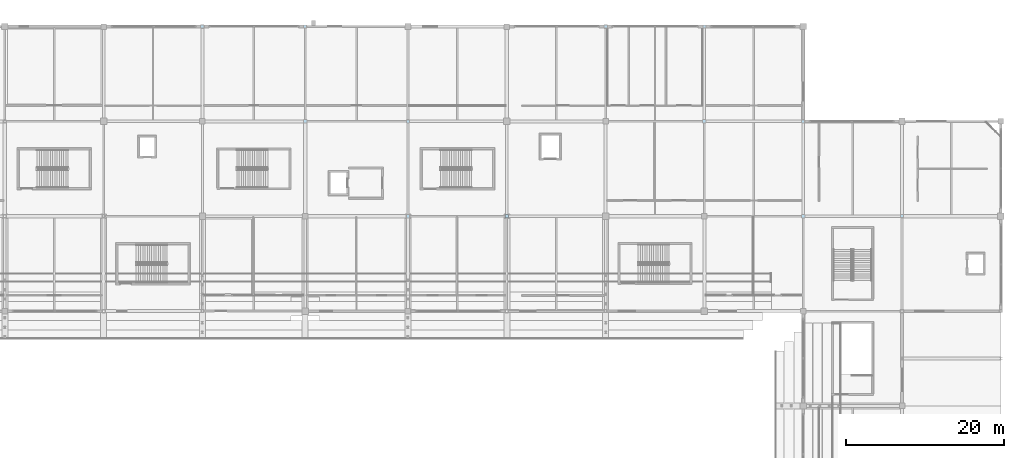
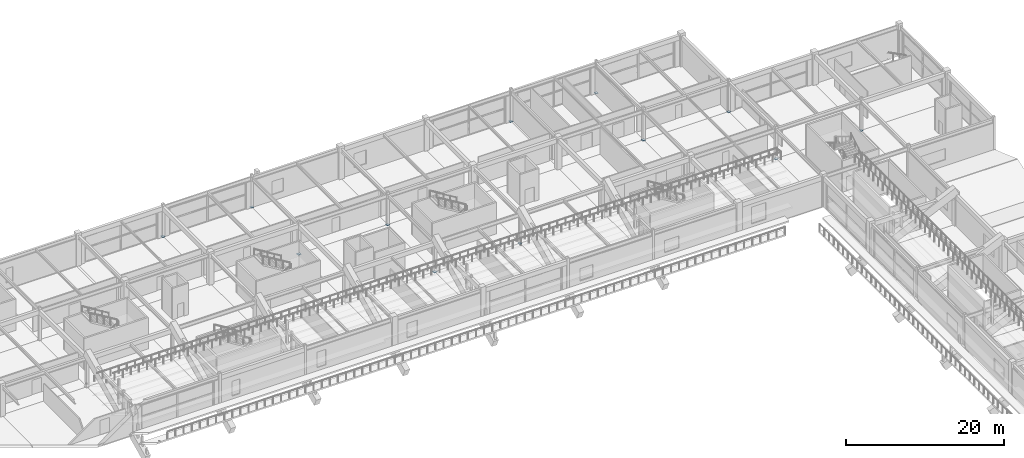
# One storey, part 83 of 128: 12 plates.
"""IFC4 building model written with IfcOpenShell, lengths in metres."""

from ifc_helpers import new_model, si_unit, direction, frame, origin, origin_2d, place, context, subcontext, project, spatial, rectangle, extrude, material, layer, layer_set, type_object, element, save


model = new_model("IFC4")

# Units and contexts
model_context = context("Model", 3, precision=1e-05, world=origin(), true_north=direction((0.0, 1.0)))
body_context = subcontext(model_context, "Body", "Model", "MODEL_VIEW")
ifc_project = project(units=[si_unit("LENGTHUNIT", "METRE"), si_unit("AREAUNIT", "SQUARE_METRE"), si_unit("VOLUMEUNIT", "CUBIC_METRE"), si_unit("PLANEANGLEUNIT", "RADIAN"), si_unit("MASSUNIT", "GRAM", prefix="KILO")], contexts=[model_context])

# Site, building, storey
site_placement = place(None, origin())
site = spatial("IfcSite", under=ifc_project, at=site_placement, CompositionType="ELEMENT")
building_placement = place(site_placement, origin())
building = spatial("IfcBuilding", under=site, at=building_placement, Name="Kazenohara Klinker Stadium", CompositionType="ELEMENT")
storey_placement = place(building_placement, frame((0.0, 0.0, 15.300048828125)))
storey = spatial("IfcBuildingStorey", under=building, at=storey_placement, Name="L03", CompositionType="ELEMENT", Elevation=15.300048828125)

# Plates
ifc_material = material(Name="Steel S355", Category="steel")
ifc_layer_1 = layer(ifc_material, 0.02001953125)
ifc_layer_set_1 = layer_set([ifc_layer_1], Name="Steel S355")
plate_type_1 = type_object("IfcPlateType", Name="PLT-GP01", PredefinedType="USERDEFINED", material=ifc_layer_set_1)
plate_1_placement = place(storey_placement, frame((112.0, 156.0, -0.010009765625), z_axis=(0.0, 0.0, 1.0), x_axis=(1.0, 0.0, 0.0)))
element("IfcPlate", 1, at=plate_1_placement, inside=storey, type_object=plate_type_1, Name="Hollow column end-cap plate GP01 L03 10/P", ObjectType="GUSSET PLATE", PredefinedType="USERDEFINED", context=body_context, shape_type="SweptSolid", body=[
    extrude(rectangle(XDim=0.43994140625, YDim=0.43994140625, at=origin_2d()), origin(), (0.0, 0.0, 1.0), 0.02001953125),
])
plate_2_placement = place(storey_placement, frame((112.0, 168.0, -0.010009765625), z_axis=(0.0, 0.0, 1.0), x_axis=(1.0, 0.0, 0.0)))
element("IfcPlate", 2, at=plate_2_placement, inside=storey, type_object=plate_type_1, Name="Hollow column end-cap plate GP01 L03 10/Q", ObjectType="GUSSET PLATE", PredefinedType="USERDEFINED", context=body_context, shape_type="SweptSolid", body=[
    extrude(rectangle(XDim=0.389892578125, YDim=0.389892578125, at=origin_2d()), origin(), (0.0, 0.0, 1.0), 0.02001953125),
])
plate_3_placement = place(storey_placement, frame((162.5, 156.0, -0.010009765625), z_axis=(0.0, 0.0, 1.0), x_axis=(1.0, 0.0, 0.0)))
element("IfcPlate", 3, at=plate_3_placement, inside=storey, type_object=plate_type_1, Name="Hollow column end-cap plate GP01 L03 14/P", ObjectType="GUSSET PLATE", PredefinedType="USERDEFINED", context=body_context, shape_type="SweptSolid", body=[
    extrude(rectangle(XDim=0.43994140625, YDim=0.43994140625, at=origin_2d()), origin(), (0.0, 0.0, 1.0), 0.02001953125),
])
ifc_layer_2 = layer(ifc_material, 0.02197265625)
ifc_layer_set_2 = layer_set([ifc_layer_2], Name="Steel S355")
plate_type_2 = type_object("IfcPlateType", Name="PLT-GP02", PredefinedType="USERDEFINED", material=ifc_layer_set_2)
for number, where, z_axis, x_axis, name in (
    (4, (99.0, 168.0, -0.010986328125), (0.0, 0.0, 1.0), (1.0, 0.0, 0.0), "Hollow column end-cap plate GP02 L03 9/Q"),
    (5, (175.0, 144.0, -0.010986328125), (0.0, 0.0, 1.0), (1.0, 0.0, 0.0), "Hollow column end-cap plate GP02 L03 15/N"),
):
    element("IfcPlate", number, at=place(storey_placement, frame(where, z_axis=z_axis, x_axis=x_axis)), inside=storey, type_object=plate_type_2, Name=name, ObjectType="GUSSET PLATE", PredefinedType="USERDEFINED", context=body_context, shape_type="SweptSolid", body=[
        extrude(rectangle(XDim=0.43994140625, YDim=0.43994140625, at=origin_2d()), origin(), (0.0, 0.0, 1.0), 0.02197265625),
    ])
plate_4_placement = place(storey_placement, frame((175.0, 156.0, -0.010986328125), z_axis=(0.0, 0.0, 1.0), x_axis=(1.0, 0.0, 0.0)))
element("IfcPlate", 6, at=plate_4_placement, inside=storey, type_object=plate_type_2, Name="Hollow column end-cap plate GP02 L03 15/P", ObjectType="GUSSET PLATE", PredefinedType="USERDEFINED", context=body_context, shape_type="SweptSolid", body=[
    extrude(rectangle(XDim=0.389892578125, YDim=0.389892578125, at=origin_2d()), origin(), (0.0, 0.0, 1.0), 0.02197265625),
])
ifc_layer_3 = layer(ifc_material, 0.02392578125)
ifc_layer_set_3 = layer_set([ifc_layer_3], Name="Steel S355")
plate_type_3 = type_object("IfcPlateType", Name="PLT-GP03", PredefinedType="USERDEFINED", material=ifc_layer_set_3)
plate_5_placement = place(storey_placement, frame((137.5, 144.0, -0.011962890625), z_axis=(0.0, 0.0, 1.0), x_axis=(1.0, 0.0, 0.0)))
element("IfcPlate", 7, at=plate_5_placement, inside=storey, type_object=plate_type_3, Name="Hollow column end-cap plate GP03 L03 12/N", ObjectType="GUSSET PLATE", PredefinedType="USERDEFINED", context=body_context, shape_type="SweptSolid", body=[
    extrude(rectangle(XDim=0.389892578125, YDim=0.389892578125, at=origin_2d()), origin(), (0.0, 0.0, 1.0), 0.02392578125),
])
plate_6_placement = place(storey_placement, frame((150.0, 168.0, -0.011962890625), z_axis=(0.0, 0.0, 1.0), x_axis=(1.0, 0.0, 0.0)))
element("IfcPlate", 8, at=plate_6_placement, inside=storey, type_object=plate_type_3, Name="Hollow column end-cap plate GP03 L03 13/Q", ObjectType="GUSSET PLATE", PredefinedType="USERDEFINED", context=body_context, shape_type="SweptSolid", body=[
    extrude(rectangle(XDim=0.43994140625, YDim=0.43994140625, at=origin_2d()), origin(), (0.0, 0.0, 1.0), 0.02392578125),
])
ifc_layer_4 = layer(ifc_material, 0.02490234375)
ifc_layer_set_4 = layer_set([ifc_layer_4], Name="Steel S355")
plate_type_4 = type_object("IfcPlateType", Name="PLT-GP04", PredefinedType="USERDEFINED", material=ifc_layer_set_4)
plate_7_placement = place(storey_placement, frame((125.0, 144.0, -0.012451171875), z_axis=(0.0, 0.0, 1.0), x_axis=(1.0, 0.0, 0.0)))
element("IfcPlate", 9, at=plate_7_placement, inside=storey, type_object=plate_type_4, Name="Hollow column end-cap plate GP04 L03 11/N", ObjectType="GUSSET PLATE", PredefinedType="USERDEFINED", context=body_context, shape_type="SweptSolid", body=[
    extrude(rectangle(XDim=0.43994140625, YDim=0.43994140625, at=origin_2d()), origin(), (0.0, 0.0, 1.0), 0.02490234375),
])
for number, where, z_axis, x_axis, name in (
    (10, (125.0, 156.0, -0.012451171875), (0.0, 0.0, 1.0), (1.0, 0.0, 0.0), "Hollow column end-cap plate GP04 L03 11/P"),
    (11, (162.5, 168.0, -0.012451171875), (0.0, 0.0, 1.0), (1.0, 0.0, 0.0), "Hollow column end-cap plate GP04 L03 14/Q"),
    (12, (187.5, 144.0, -0.012451171875), (0.0, 0.0, 1.0), (1.0, 0.0, 0.0), "Hollow column end-cap plate GP04 L03 16/N"),
):
    element("IfcPlate", number, at=place(storey_placement, frame(where, z_axis=z_axis, x_axis=x_axis)), inside=storey, type_object=plate_type_4, Name=name, ObjectType="GUSSET PLATE", PredefinedType="USERDEFINED", context=body_context, shape_type="SweptSolid", body=[
        extrude(rectangle(XDim=0.389892578125, YDim=0.389892578125, at=origin_2d()), origin(), (0.0, 0.0, 1.0), 0.02490234375),
    ])

save(model, "model.ifc")
